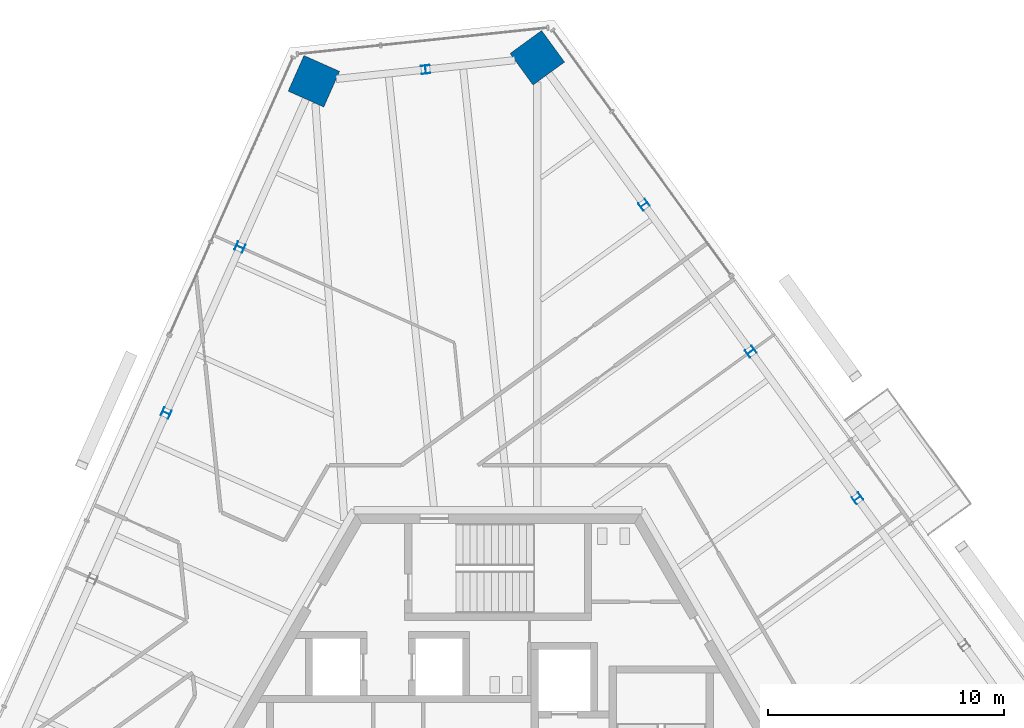
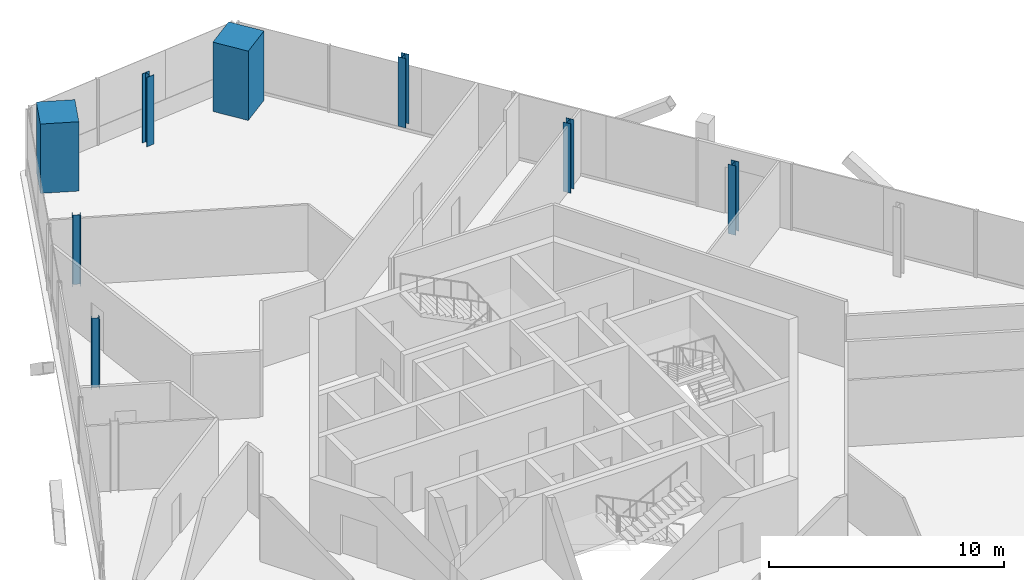
# One storey, part 3 of 18: 8 columns.
"""IFC4 building model written with IfcOpenShell, lengths in metres."""

from ifc_helpers import new_model, si_unit, direction, frame, origin, origin_2d, place, context, subcontext, project, spatial, rectangle, i_section, extrude, source, transform, mapped, material, material_profile, profile_set, type_object, element, save


model = new_model("IFC4")

# Units and contexts
model_context = context("Model", 3, precision=1e-05, world=origin(), true_north=direction((0.0, 1.0)))
body_context = subcontext(model_context, "Body", "Model", "MODEL_VIEW")
ifc_project = project(units=[si_unit("LENGTHUNIT", "METRE"), si_unit("AREAUNIT", "SQUARE_METRE"), si_unit("VOLUMEUNIT", "CUBIC_METRE"), si_unit("PLANEANGLEUNIT", "RADIAN"), si_unit("MASSUNIT", "GRAM", prefix="KILO")], contexts=[model_context])

# Site, building, storey
site_placement = place(None, origin())
site = spatial("IfcSite", under=ifc_project, at=site_placement, CompositionType="ELEMENT")
building_placement = place(site_placement, origin())
building = spatial("IfcBuilding", under=site, at=building_placement, Name="Triune Harvest Tower", CompositionType="ELEMENT")
storey_placement = place(building_placement, frame((0.0, 0.0, 230.5)))
storey = spatial("IfcBuildingStorey", under=building, at=storey_placement, Name="L60", CompositionType="ELEMENT", Elevation=230.5)

# Columns
ifc_material_1 = material(Name="Steel ASTM A992 Gr 50", Category="steel")
ifc_material_profile_1 = material_profile(ifc_material_1, i_section(OverallWidth=0.368408203125, OverallDepth=0.355712890625, WebThickness=0.01123046875, FlangeThickness=0.01806640625, at=origin_2d()), Name="W14x90")
ifc_profile_set_1 = profile_set([ifc_material_profile_1], Name="Steel ASTM A992 Gr 50")
column_type_1 = type_object("IfcColumnType", Name="PC-6 Perimeter column W14x90", PredefinedType="COLUMN", material=ifc_profile_set_1)
shared_shape_1 = source(origin(), body_context, "Body", "SweptSolid", [
    extrude(i_section(OverallWidth=0.368408203125, OverallDepth=0.355712890625, WebThickness=0.01123046875, FlangeThickness=0.01806640625, at=origin_2d()), origin(), (0.0, 0.0, 1.0), 3.60009765625),
])
for number, where, z_axis, x_axis, name in (
    (1, (15.19970703125, 11.043212890625, 0.0), (0.0, 0.0, 1.0), (-0.587785252292, 0.809016994375, 0.0), "col/L60/P3"),
    (2, (10.685791015625, 17.256103515625, 0.0), (0.0, 0.0, 1.0), (-0.587785252292, 0.809016994375, 0.0), "col/L60/P4"),
    (3, (6.172119140625, 23.468994140625, 1.199951171875), (0.0, 0.0, 1.0), (-0.587785252292, 0.809016994375, 0.0), "col/L60/P5"),
    (4, (-3.0673828125, 29.18505859375, 0.0), (0.0, 0.0, 1.0), (-0.994521895368, -0.104528463268, 0.0), "col/L60/P7"),
    (5, (-10.91650390625, 21.6728515625, 0.0), (0.0, 0.0, 1.0), (-0.406738237513, -0.913544747752, 0.0), "col/L60/P9"),
    (6, (-14.0400390625, 14.6572265625, 0.0), (0.0, 0.0, 1.0), (-0.406738237513, -0.913544747752, 0.0), "col/L60/P10"),
):
    element("IfcColumn", number, at=place(storey_placement, frame(where, z_axis=z_axis, x_axis=x_axis)), inside=storey, type_object=column_type_1, Name=name, PredefinedType="COLUMN", context=body_context, shape_type="MappedRepresentation", body=[
        mapped(shared_shape_1, transform((0.0, 0.0, 0.0), scale=1.0)),
    ])
ifc_material_2 = material(Name="Concrete 70 MPa", Category="concrete")
ifc_material_profile_2 = material_profile(ifc_material_2, rectangle(XDim=1.64990234375, YDim=1.64990234375, at=origin_2d()), Name="Composite 1650x1650")
ifc_profile_set_2 = profile_set([ifc_material_profile_2], Name="Concrete 70 MPa")
column_type_2 = type_object("IfcColumnType", Name="MC-6 Mega column Composite 1650x1650", PredefinedType="COLUMN", material=ifc_profile_set_2)
shared_shape_2 = source(origin(), body_context, "Body", "SweptSolid", [
    extrude(rectangle(XDim=1.64990234375, YDim=1.64990234375, at=origin_2d()), origin(), (0.0, 0.0, 1.0), 3.60009765625),
])
for number, where, z_axis, x_axis, name in (
    (7, (1.658203125, 29.681640625, 0.0), (0.0, 0.0, 1.0), (-0.587785252292, 0.809016994375, 0.0), "col/L60/M6"),
    (8, (-7.793212890625, 28.688232421875, 0.0), (0.0, 0.0, 1.0), (-0.406738237513, -0.913544747752, 0.0), "col/L60/M8"),
):
    element("IfcColumn", number, at=place(storey_placement, frame(where, z_axis=z_axis, x_axis=x_axis)), inside=storey, type_object=column_type_2, Name=name, PredefinedType="COLUMN", context=body_context, shape_type="MappedRepresentation", body=[
        mapped(shared_shape_2, transform((0.0, 0.0, 0.0), scale=1.0)),
    ])

save(model, "model.ifc")
